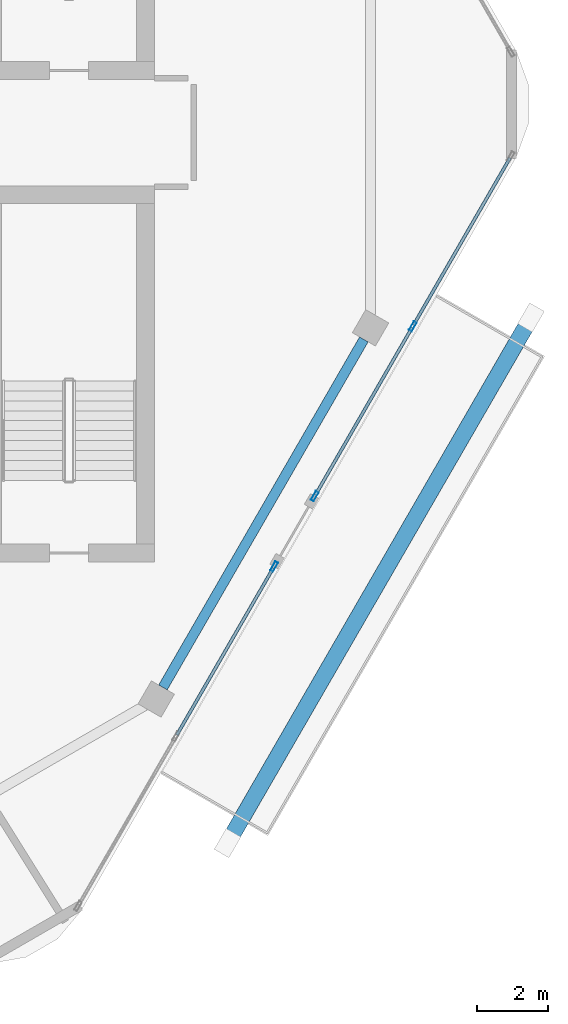
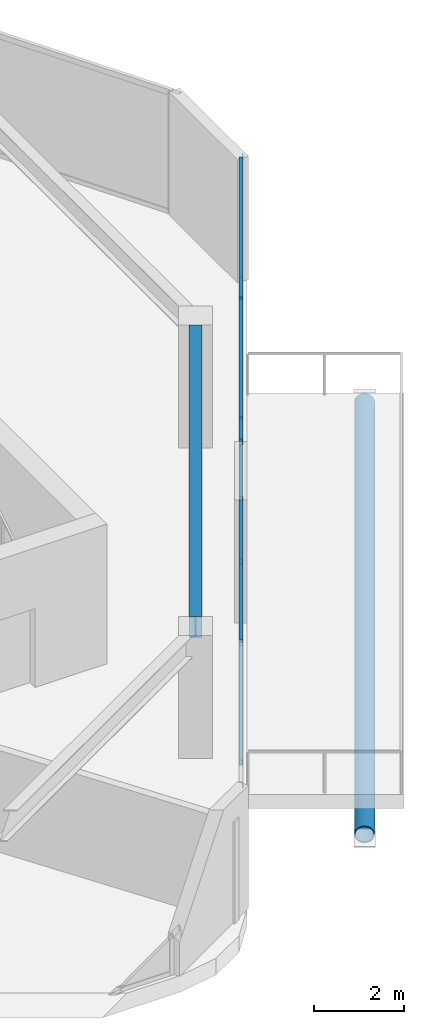
# One storey, part 7 of 22: 10 members, 1 beam, 2 elements without a shape of their own.
"""IFC4 building model written with IfcOpenShell, lengths in metres."""

from ifc_helpers import new_model, si_unit, direction, frame, origin, origin_2d, place, context, subcontext, project, spatial, hollow_rectangle, hollow_circle, i_section, extrude, material, material_profile, profile_set, type_object, element, aggregate, save


model = new_model("IFC4")

# Units and contexts
model_context = context("Model", 3, precision=1e-05, world=origin(), true_north=direction((0.0, 1.0)))
body_context = subcontext(model_context, "Body", "Model", "MODEL_VIEW")
ifc_project = project(units=[si_unit("LENGTHUNIT", "METRE"), si_unit("AREAUNIT", "SQUARE_METRE"), si_unit("VOLUMEUNIT", "CUBIC_METRE"), si_unit("PLANEANGLEUNIT", "RADIAN"), si_unit("MASSUNIT", "GRAM", prefix="KILO")], contexts=[model_context])

# Site, building, storey
site_placement = place(None, origin())
site = spatial("IfcSite", under=ifc_project, at=site_placement, CompositionType="ELEMENT")
building_placement = place(site_placement, origin())
building = spatial("IfcBuilding", under=site, at=building_placement, Name="Zuhravey Tower", CompositionType="ELEMENT")
storey_placement = place(building_placement, frame((0.0, 0.0, 357.60009765625)))
storey = spatial("IfcBuildingStorey", under=building, at=storey_placement, Name="L91", CompositionType="ELEMENT", Elevation=357.60009765625)

# Curtain wall, members
ifc_material_1 = material(Name="Thermally broken anodised aluminium", Category="aluminium")
curtain_wall_type = type_object("IfcCurtainWallType", Name="Zone 3-4 High-Rise Curtain Wall CW4", PredefinedType="NOTDEFINED", material=ifc_material_1)
curtain_wall_1_placement = place(storey_placement, origin())
curtain_wall_1 = element("IfcCurtainWall", 1, at=curtain_wall_1_placement, inside=storey, type_object=curtain_wall_type, Name="L91 CW4 CW-L91-F6-1", PredefinedType="NOTDEFINED")
ifc_material_2 = material(Name="Anodised aluminium", Category="aluminium")
ifc_material_profile_1 = material_profile(ifc_material_2, hollow_rectangle(XDim=0.090087890625, YDim=0.284912109375, WallThickness=0.0048828125, at=origin_2d()), Name="ALU-RHS-90x285x5")
ifc_profile_set_1 = profile_set([ifc_material_profile_1], Name="Anodised aluminium")
member_type_1 = type_object("IfcMemberType", Name="Curtain-Wall Mullion 90x180", PredefinedType="MULLION", material=ifc_profile_set_1)
member_1_placement = place(storey_placement, frame((60.18359375, 25.739013671875, 0.0), z_axis=(0.0, 0.0, 1.0), x_axis=(0.866026970807, -0.499997285828, 0.0)))
member_1 = element("IfcMember", 2, at=member_1_placement, type_object=member_type_1, Name="CW4 mullion 2", PredefinedType="MULLION", context=body_context, shape_type="SweptSolid", body=[
    extrude(hollow_rectangle(XDim=0.090087890625, YDim=0.284912109375, WallThickness=0.0048828125, at=origin_2d()), origin(), (0.0, 0.0, 1.0), 3.349853515625),
])
member_2_placement = place(storey_placement, frame((57.42138671875, 20.95458984375, 0.0), z_axis=(0.0, 0.0, 1.0), x_axis=(0.866026970807, -0.499997285828, 0.0)))
member_2 = element("IfcMember", 3, at=member_2_placement, type_object=member_type_1, Name="CW4 mullion 3", PredefinedType="MULLION", context=body_context, shape_type="SweptSolid", body=[
    extrude(hollow_rectangle(XDim=0.090087890625, YDim=0.284912109375, WallThickness=0.0048828125, at=origin_2d()), origin(), (0.0, 0.0, 1.0), 3.349853515625),
])

# Curtain wall, member
curtain_wall_2_placement = place(storey_placement, origin())
curtain_wall_2 = element("IfcCurtainWall", 4, at=curtain_wall_2_placement, inside=storey, type_object=curtain_wall_type, Name="L91 CW4 CW-L91-F6-2", PredefinedType="NOTDEFINED")
member_3_placement = place(storey_placement, frame((56.2763671875, 18.971435546875, 0.0), z_axis=(0.0, 0.0, 1.0), x_axis=(0.866023083552, -0.500004018739, 0.0)))
member_3 = element("IfcMember", 5, at=member_3_placement, type_object=member_type_1, Name="CW4 mullion 1", PredefinedType="MULLION", context=body_context, shape_type="SweptSolid", body=[
    extrude(hollow_rectangle(XDim=0.090087890625, YDim=0.284912109375, WallThickness=0.0048828125, at=origin_2d()), origin(), (0.0, 0.0, 1.0), 3.349853515625),
])

# Member
ifc_material_profile_2 = material_profile(ifc_material_2, hollow_rectangle(XDim=0.090087890625, YDim=0.14990234375, WallThickness=0.0048828125, at=origin_2d()), Name="ALU-RHS-90x150x5")
ifc_profile_set_2 = profile_set([ifc_material_profile_2], Name="Anodised aluminium")
member_type_2 = type_object("IfcMemberType", Name="Curtain-Wall Transom 90x150", PredefinedType="USERDEFINED", material=ifc_profile_set_2)
member_4_placement = place(storey_placement, frame((62.92333984375, 30.484619140625, 0.044921875), z_axis=(-0.499994660107, -0.866028486751, 0.0), x_axis=(0.866028486751, -0.499994660107, 0.0)))
member_4 = element("IfcMember", 6, at=member_4_placement, type_object=member_type_2, Name="CW4 transom 1.1", ObjectType="TRANSOM", PredefinedType="USERDEFINED", context=body_context, shape_type="SweptSolid", body=[
    extrude(hollow_rectangle(XDim=0.090087890625, YDim=0.14990234375, WallThickness=0.0048828125, at=origin_2d()), origin(), (0.0, 0.0, 1.0), 5.4345703125),
])

member_5_placement = place(storey_placement, frame((62.92333984375, 30.484619140625, 3.304931640625), z_axis=(-0.499994660107, -0.866028486751, 0.0), x_axis=(0.866028486751, -0.499994660107, 0.0)))
member_5 = element("IfcMember", 7, at=member_5_placement, type_object=member_type_2, Name="CW4 transom 1.2", ObjectType="TRANSOM", PredefinedType="USERDEFINED", context=body_context, shape_type="SweptSolid", body=[
    extrude(hollow_rectangle(XDim=0.090087890625, YDim=0.14990234375, WallThickness=0.0048828125, at=origin_2d()), origin(), (0.0, 0.0, 1.0), 5.4345703125),
])

member_6_placement = place(storey_placement, frame((60.1611328125, 25.7001953125, 0.044921875), z_axis=(-0.499994660107, -0.866028486751, 0.0), x_axis=(0.866028486751, -0.499994660107, 0.0)))
member_6 = element("IfcMember", 8, at=member_6_placement, type_object=member_type_2, Name="CW4 transom 2.1", ObjectType="TRANSOM", PredefinedType="USERDEFINED", context=body_context, shape_type="SweptSolid", body=[
    extrude(hollow_rectangle(XDim=0.090087890625, YDim=0.14990234375, WallThickness=0.0048828125, at=origin_2d()), origin(), (0.0, 0.0, 1.0), 5.4345703125),
])

member_7_placement = place(storey_placement, frame((60.1611328125, 25.7001953125, 3.304931640625), z_axis=(-0.499994660107, -0.866028486751, 0.0), x_axis=(0.866028486751, -0.499994660107, 0.0)))
member_7 = element("IfcMember", 9, at=member_7_placement, type_object=member_type_2, Name="CW4 transom 2.2", ObjectType="TRANSOM", PredefinedType="USERDEFINED", context=body_context, shape_type="SweptSolid", body=[
    extrude(hollow_rectangle(XDim=0.090087890625, YDim=0.14990234375, WallThickness=0.0048828125, at=origin_2d()), origin(), (0.0, 0.0, 1.0), 5.4345703125),
])

aggregate(curtain_wall_1, [member_1, member_2, member_4, member_5, member_6, member_7])

member_8_placement = place(storey_placement, frame((56.25390625, 18.932373046875, 0.044921875), z_axis=(-0.500028351574, -0.866009034377, 0.0), x_axis=(0.866009034377, -0.500028351574, 0.0)))
member_8 = element("IfcMember", 10, at=member_8_placement, type_object=member_type_2, Name="CW4 transom 1.1", ObjectType="TRANSOM", PredefinedType="USERDEFINED", context=body_context, shape_type="SweptSolid", body=[
    extrude(hollow_rectangle(XDim=0.090087890625, YDim=0.14990234375, WallThickness=0.0048828125, at=origin_2d()), origin(), (0.0, 0.0, 1.0), 5.434814453125),
])

member_9_placement = place(storey_placement, frame((56.25390625, 18.932373046875, 3.304931640625), z_axis=(-0.500028351574, -0.866009034377, 0.0), x_axis=(0.866009034377, -0.500028351574, 0.0)))
member_9 = element("IfcMember", 11, at=member_9_placement, type_object=member_type_2, Name="CW4 transom 1.2", ObjectType="TRANSOM", PredefinedType="USERDEFINED", context=body_context, shape_type="SweptSolid", body=[
    extrude(hollow_rectangle(XDim=0.090087890625, YDim=0.14990234375, WallThickness=0.0048828125, at=origin_2d()), origin(), (0.0, 0.0, 1.0), 5.434814453125),
])

aggregate(curtain_wall_2, [member_3, member_8, member_9])

ifc_material_3 = material(Name="Steel SM355", Category="steel")
ifc_material_profile_3 = material_profile(ifc_material_3, hollow_circle(Radius=0.228515625, WallThickness=0.02197265625, at=origin_2d()), Name="CHS-457.2x22")
ifc_profile_set_3 = profile_set([ifc_material_profile_3], Name="Steel SM355")
member_type_3 = type_object("IfcMemberType", Name="Exoskeleton Ring Tie CHS457x22", PredefinedType="CHORD", material=ifc_profile_set_3)
member_10_placement = place(storey_placement, frame((55.0341796875, 11.300048828125, -0.6640625), z_axis=(0.499996794797, 0.866027254301, 0.0), x_axis=(-0.866027254301, 0.499996794797, 0.0)))
element("IfcMember", 12, at=member_10_placement, inside=storey, type_object=member_type_3, Name="L91 Exoskeleton Face 6 Tie EXR1", PredefinedType="CHORD", context=body_context, shape_type="SweptSolid", body=[
    extrude(hollow_circle(Radius=0.228515625, WallThickness=0.02197265625, at=origin_2d()), origin(), (0.0, 0.0, 1.0), 16.81884765625),
])

# Beam
ifc_material_profile_4 = material_profile(ifc_material_3, i_section(OverallWidth=0.280029296875, OverallDepth=0.580078125, WebThickness=0.011962890625, FlangeThickness=0.01904296875, at=origin_2d()), Name="H-580x280x12x19")
ifc_profile_set_4 = profile_set([ifc_material_profile_4], Name="Steel SM355")
beam_type = type_object("IfcBeamType", Name="Perimeter Ring Beam H580x280", PredefinedType="BEAM", material=ifc_profile_set_4)
beam_placement = place(storey_placement, frame((53.143798828125, 15.565673828125, 3.059814453125), z_axis=(0.499993743963, 0.866029015679, 0.0), x_axis=(-0.866029015679, 0.499993743963, 0.0)))
element("IfcBeam", 13, at=beam_placement, inside=storey, type_object=beam_type, Name="L91 PB4 BM-L91-PB-11", PredefinedType="BEAM", context=body_context, shape_type="SweptSolid", body=[
    extrude(i_section(OverallWidth=0.280029296875, OverallDepth=0.580078125, WebThickness=0.011962890625, FlangeThickness=0.01904296875, at=origin_2d()), origin(), (0.0, 0.0, 1.0), 11.321533203125),
])

save(model, "model.ifc")
